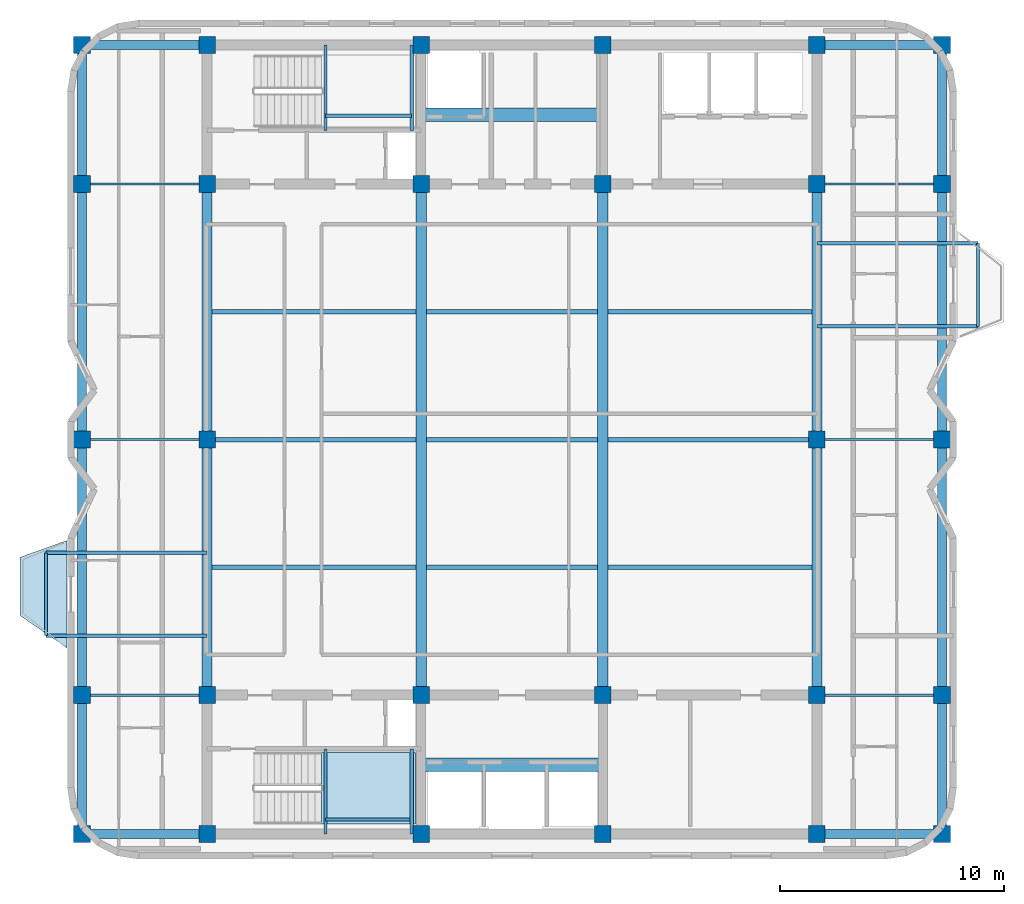
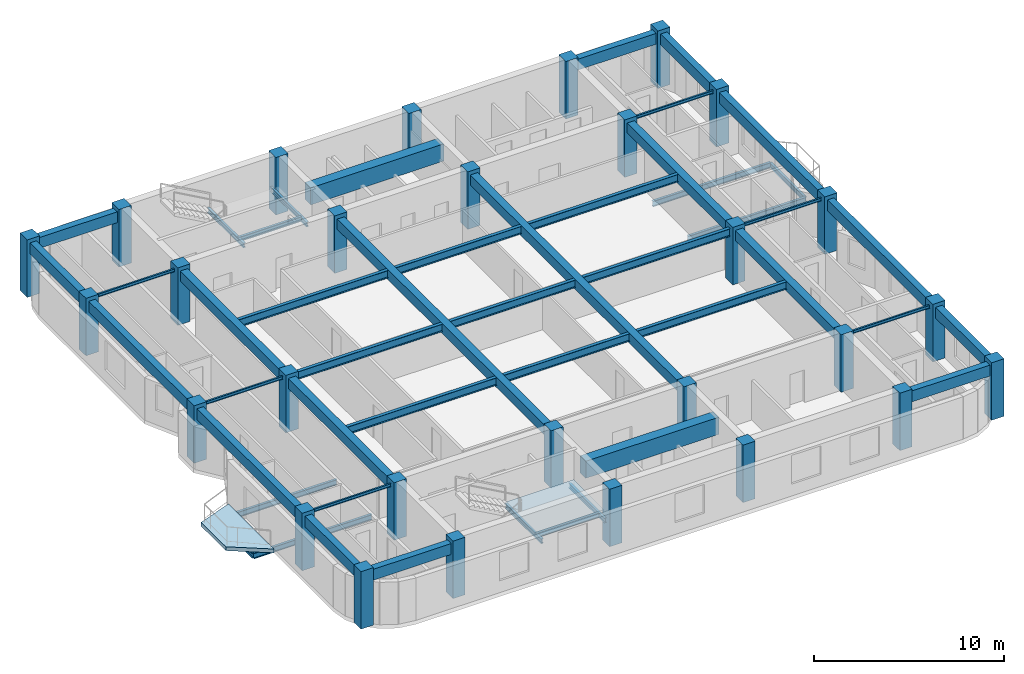
# One storey, part 1 of 8: 47 beams, 28 columns, 2 slabs, 1 element without a shape of its own.
"""IFC4 building model written with IfcOpenShell, lengths in metres."""

from ifc_helpers import new_model, si_unit, direction, frame, origin, origin_2d, place, context, subcontext, project, spatial, polyline, rectangle, i_section, outline, extrude, material, layer, layer_set, material_profile, profile_set, type_object, element, aggregate, save


model = new_model("IFC4")

# Units and contexts
model_context = context("Model", 3, precision=1e-05, world=origin(), true_north=direction((0.0, 1.0)))
body_context = subcontext(model_context, "Body", "Model", "MODEL_VIEW")
ifc_project = project(units=[si_unit("LENGTHUNIT", "METRE"), si_unit("AREAUNIT", "SQUARE_METRE"), si_unit("VOLUMEUNIT", "CUBIC_METRE"), si_unit("PLANEANGLEUNIT", "RADIAN"), si_unit("MASSUNIT", "GRAM", prefix="KILO")], contexts=[model_context])

# Site, building, storey
site_placement = place(None, origin())
site = spatial("IfcSite", under=ifc_project, at=site_placement, CompositionType="ELEMENT")
building_placement = place(site_placement, origin())
building = spatial("IfcBuilding", under=site, at=building_placement, Name="Svetorya Sky Lyceum", CompositionType="ELEMENT")
storey_placement = place(building_placement, frame((0.0, 0.0, 278.699951171875)))
storey = spatial("IfcBuildingStorey", under=building, at=storey_placement, Name="L70", CompositionType="ELEMENT", Elevation=278.699951171875)

# Columns
ifc_material_1 = material(Name="Concrete C40/50", Category="concrete")
ifc_material_profile_1 = material_profile(ifc_material_1, rectangle(XDim=0.75, YDim=0.75, at=origin_2d()), Name="RC COL 750x750")
ifc_profile_set_1 = profile_set([ifc_material_profile_1], Name="Concrete C40/50")
column_type = type_object("IfcColumnType", Name="COL-RC-750", PredefinedType="COLUMN", material=ifc_profile_set_1)
for number, where, z_axis, x_axis, name in (
    (1, (25.60009765625, 10.60009765625, 0.0), (0.0, 0.0, 1.0), (1.0, 0.0, 0.0), "L70 Core Column CS-11"),
    (2, (25.60009765625, 16.800048828125, 0.0), (0.0, 0.0, 1.0), (1.0, 0.0, 0.0), "L70 Core Column CS-12"),
    (3, (35.14990234375, 10.60009765625, 0.0), (0.0, 0.0, 1.0), (1.0, 0.0, 0.0), "L70 Core Column CS-21"),
    (4, (35.14990234375, 16.800048828125, 0.0), (0.0, 0.0, 1.0), (1.0, 0.0, 0.0), "L70 Core Column CS-22"),
    (5, (43.25, 10.60009765625, 0.0), (0.0, 0.0, 1.0), (1.0, 0.0, 0.0), "L70 Core Column CS-31"),
    (6, (43.25, 16.800048828125, 0.0), (0.0, 0.0, 1.0), (1.0, 0.0, 0.0), "L70 Core Column CS-32"),
    (7, (52.800048828125, 10.60009765625, 0.0), (0.0, 0.0, 1.0), (1.0, 0.0, 0.0), "L70 Core Column CS-41"),
    (8, (52.800048828125, 16.800048828125, 0.0), (0.0, 0.0, 1.0), (1.0, 0.0, 0.0), "L70 Core Column CS-42"),
    (9, (25.60009765625, 39.60009765625, 0.0), (0.0, 0.0, 1.0), (1.0, 0.0, 0.0), "L70 Core Column CN-11"),
    (10, (25.60009765625, 45.800048828125, 0.0), (0.0, 0.0, 1.0), (1.0, 0.0, 0.0), "L70 Core Column CN-12"),
    (11, (35.14990234375, 39.60009765625, 0.0), (0.0, 0.0, 1.0), (1.0, 0.0, 0.0), "L70 Core Column CN-21"),
    (12, (35.14990234375, 45.800048828125, 0.0), (0.0, 0.0, 1.0), (1.0, 0.0, 0.0), "L70 Core Column CN-22"),
    (13, (43.25, 39.60009765625, 0.0), (0.0, 0.0, 1.0), (1.0, 0.0, 0.0), "L70 Core Column CN-31"),
    (14, (43.25, 45.800048828125, 0.0), (0.0, 0.0, 1.0), (1.0, 0.0, 0.0), "L70 Core Column CN-32"),
    (15, (52.800048828125, 39.60009765625, 0.0), (0.0, 0.0, 1.0), (1.0, 0.0, 0.0), "L70 Core Column CN-41"),
    (16, (52.800048828125, 45.800048828125, 0.0), (0.0, 0.0, 1.0), (1.0, 0.0, 0.0), "L70 Core Column CN-42"),
    (17, (25.60009765625, 28.199951171875, 0.0), (0.0, 0.0, 1.0), (1.0, 0.0, 0.0), "L70 Core Column CM-W"),
    (18, (52.800048828125, 28.199951171875, 0.0), (0.0, 0.0, 1.0), (1.0, 0.0, 0.0), "L70 Core Column CM-E"),
    (19, (20.010009765625, 10.60009765625, 0.0), (0.0, 0.0, 1.0), (1.0, 0.0, 0.0), "L70 Perimeter Column W1"),
    (20, (58.389892578125, 10.60009765625, 0.0), (0.0, 0.0, 1.0), (1.0, 0.0, 0.0), "L70 Perimeter Column E1"),
    (21, (20.010009765625, 16.800048828125, 0.0), (0.0, 0.0, 1.0), (1.0, 0.0, 0.0), "L70 Perimeter Column W2"),
    (22, (58.389892578125, 16.800048828125, 0.0), (0.0, 0.0, 1.0), (1.0, 0.0, 0.0), "L70 Perimeter Column E2"),
    (23, (20.010009765625, 28.199951171875, 0.0), (0.0, 0.0, 1.0), (1.0, 0.0, 0.0), "L70 Perimeter Column W3"),
    (24, (58.389892578125, 28.199951171875, 0.0), (0.0, 0.0, 1.0), (1.0, 0.0, 0.0), "L70 Perimeter Column E3"),
    (25, (20.010009765625, 39.60009765625, 0.0), (0.0, 0.0, 1.0), (1.0, 0.0, 0.0), "L70 Perimeter Column W4"),
    (26, (58.389892578125, 39.60009765625, 0.0), (0.0, 0.0, 1.0), (1.0, 0.0, 0.0), "L70 Perimeter Column E4"),
    (27, (20.010009765625, 45.800048828125, 0.0), (0.0, 0.0, 1.0), (1.0, 0.0, 0.0), "L70 Perimeter Column W5"),
    (28, (58.389892578125, 45.800048828125, 0.0), (0.0, 0.0, 1.0), (1.0, 0.0, 0.0), "L70 Perimeter Column E5"),
):
    element("IfcColumn", number, at=place(storey_placement, frame(where, z_axis=z_axis, x_axis=x_axis)), inside=storey, type_object=column_type, Name=name, PredefinedType="COLUMN", context=body_context, shape_type="SweptSolid", body=[
        extrude(rectangle(XDim=0.75, YDim=0.75, at=origin_2d()), origin(), (0.0, 0.0, 1.0), 3.699951171875),
    ])

# Beams
ifc_material_2 = material(Name="Concrete C60/75", Category="concrete")
ifc_material_profile_2 = material_profile(ifc_material_2, rectangle(XDim=0.60009765625, YDim=1.10009765625, at=origin_2d()), Name="RC COUPLING 600x1100")
ifc_profile_set_2 = profile_set([ifc_material_profile_2], Name="Concrete C60/75")
beam_type_1 = type_object("IfcBeamType", Name="BM-CPL-1100", PredefinedType="LINTEL", material=ifc_profile_set_2)
for number, where, z_axis, x_axis, name in (
    (29, (35.14990234375, 13.699951171875, 2.900146484375), (1.0, 0.0, 0.0), (0.0, 1.0, 0.0), "L70 SC Core Coupling Beam"),
    (30, (35.14990234375, 42.699951171875, 2.900146484375), (1.0, 0.0, 0.0), (0.0, 1.0, 0.0), "L70 NC Core Coupling Beam"),
):
    element("IfcBeam", number, at=place(storey_placement, frame(where, z_axis=z_axis, x_axis=x_axis)), inside=storey, type_object=beam_type_1, Name=name, PredefinedType="LINTEL", context=body_context, shape_type="SweptSolid", body=[
        extrude(rectangle(XDim=0.60009765625, YDim=1.10009765625, at=origin_2d()), origin(), (0.0, 0.0, 1.0), 8.10009765625),
    ])
ifc_material_profile_3 = material_profile(ifc_material_1, rectangle(XDim=0.449951171875, YDim=0.64990234375, at=origin_2d()), Name="RC BEAM 450x650")
ifc_profile_set_3 = profile_set([ifc_material_profile_3], Name="Concrete C40/50")
beam_type_2 = type_object("IfcBeamType", Name="BM-RC-650", PredefinedType="BEAM", material=ifc_profile_set_3)
beam_1_placement = place(storey_placement, frame((25.60009765625, 16.800048828125, 3.125), z_axis=(0.0, 1.0, 0.0), x_axis=(-1.0, 0.0, 0.0)))
element("IfcBeam", 31, at=beam_1_placement, inside=storey, type_object=beam_type_2, Name="L70 Central Bay Primary Girder CG-1A", PredefinedType="BEAM", context=body_context, shape_type="SweptSolid", body=[
    extrude(rectangle(XDim=0.449951171875, YDim=0.64990234375, at=origin_2d()), origin(), (0.0, 0.0, 1.0), 11.39990234375),
])
beam_2_placement = place(storey_placement, frame((25.60009765625, 28.199951171875, 3.125), z_axis=(0.0, 1.0, 0.0), x_axis=(-1.0, 0.0, 0.0)))
element("IfcBeam", 32, at=beam_2_placement, inside=storey, type_object=beam_type_2, Name="L70 Central Bay Primary Girder CG-1B", PredefinedType="BEAM", context=body_context, shape_type="SweptSolid", body=[
    extrude(rectangle(XDim=0.449951171875, YDim=0.64990234375, at=origin_2d()), origin(), (0.0, 0.0, 1.0), 11.400146484375),
])
for number, where, z_axis, x_axis, name in (
    (33, (35.14990234375, 16.800048828125, 3.125), (0.0, 1.0, 0.0), (-1.0, 0.0, 0.0), "L70 Central Bay Primary Girder CG-2"),
    (34, (43.25, 16.800048828125, 3.125), (0.0, 1.0, 0.0), (-1.0, 0.0, 0.0), "L70 Central Bay Primary Girder CG-3"),
):
    element("IfcBeam", number, at=place(storey_placement, frame(where, z_axis=z_axis, x_axis=x_axis)), inside=storey, type_object=beam_type_2, Name=name, PredefinedType="BEAM", context=body_context, shape_type="SweptSolid", body=[
        extrude(rectangle(XDim=0.449951171875, YDim=0.64990234375, at=origin_2d()), origin(), (0.0, 0.0, 1.0), 22.800048828125),
    ])
beam_3_placement = place(storey_placement, frame((52.800048828125, 16.800048828125, 3.125), z_axis=(0.0, 1.0, 0.0), x_axis=(-1.0, 0.0, 0.0)))
element("IfcBeam", 35, at=beam_3_placement, inside=storey, type_object=beam_type_2, Name="L70 Central Bay Primary Girder CG-4A", PredefinedType="BEAM", context=body_context, shape_type="SweptSolid", body=[
    extrude(rectangle(XDim=0.449951171875, YDim=0.64990234375, at=origin_2d()), origin(), (0.0, 0.0, 1.0), 11.39990234375),
])
beam_4_placement = place(storey_placement, frame((52.800048828125, 28.199951171875, 3.125), z_axis=(0.0, 1.0, 0.0), x_axis=(-1.0, 0.0, 0.0)))
element("IfcBeam", 36, at=beam_4_placement, inside=storey, type_object=beam_type_2, Name="L70 Central Bay Primary Girder CG-4B", PredefinedType="BEAM", context=body_context, shape_type="SweptSolid", body=[
    extrude(rectangle(XDim=0.449951171875, YDim=0.64990234375, at=origin_2d()), origin(), (0.0, 0.0, 1.0), 11.400146484375),
])
ifc_material_3 = material(Name="Concrete C50/60", Category="concrete")
ifc_material_profile_4 = material_profile(ifc_material_3, rectangle(XDim=0.39990234375, YDim=0.699951171875, at=origin_2d()), Name="RC SPANDREL 400x700")
ifc_profile_set_4 = profile_set([ifc_material_profile_4], Name="Concrete C50/60")
beam_type_3 = type_object("IfcBeamType", Name="BM-SPN-700", PredefinedType="SPANDREL", material=ifc_profile_set_4)
for number, where, z_axis, x_axis, name in (
    (37, (20.010009765625, 10.60009765625, 3.10009765625), (1.0, 0.0, 0.0), (0.0, 1.0, 0.0), "L70 Tie Spandrel SW"),
    (38, (20.010009765625, 45.800048828125, 3.10009765625), (1.0, 0.0, 0.0), (0.0, 1.0, 0.0), "L70 Tie Spandrel NW"),
):
    element("IfcBeam", number, at=place(storey_placement, frame(where, z_axis=z_axis, x_axis=x_axis)), inside=storey, type_object=beam_type_3, Name=name, PredefinedType="SPANDREL", context=body_context, shape_type="SweptSolid", body=[
        extrude(rectangle(XDim=0.39990234375, YDim=0.699951171875, at=origin_2d()), origin(), (0.0, 0.0, 1.0), 5.590087890625),
    ])
for number, where, z_axis, x_axis, name in (
    (39, (52.800048828125, 10.60009765625, 3.10009765625), (1.0, 0.0, 0.0), (0.0, 1.0, 0.0), "L70 Tie Spandrel SE"),
    (40, (52.800048828125, 45.800048828125, 3.10009765625), (1.0, 0.0, 0.0), (0.0, 1.0, 0.0), "L70 Tie Spandrel NE"),
):
    element("IfcBeam", number, at=place(storey_placement, frame(where, z_axis=z_axis, x_axis=x_axis)), inside=storey, type_object=beam_type_3, Name=name, PredefinedType="SPANDREL", context=body_context, shape_type="SweptSolid", body=[
        extrude(rectangle(XDim=0.39990234375, YDim=0.699951171875, at=origin_2d()), origin(), (0.0, 0.0, 1.0), 5.58984375),
    ])
beam_5_placement = place(storey_placement, frame((20.010009765625, 10.60009765625, 3.10009765625), z_axis=(0.0, 1.0, 0.0), x_axis=(-1.0, 0.0, 0.0)))
element("IfcBeam", 41, at=beam_5_placement, inside=storey, type_object=beam_type_3, Name="L70 West Spandrel 1", PredefinedType="SPANDREL", context=body_context, shape_type="SweptSolid", body=[
    extrude(rectangle(XDim=0.39990234375, YDim=0.699951171875, at=origin_2d()), origin(), (0.0, 0.0, 1.0), 6.199951171875),
])
beam_6_placement = place(storey_placement, frame((20.010009765625, 16.800048828125, 3.10009765625), z_axis=(0.0, 1.0, 0.0), x_axis=(-1.0, 0.0, 0.0)))
element("IfcBeam", 42, at=beam_6_placement, inside=storey, type_object=beam_type_3, Name="L70 West Spandrel 2", PredefinedType="SPANDREL", context=body_context, shape_type="SweptSolid", body=[
    extrude(rectangle(XDim=0.39990234375, YDim=0.699951171875, at=origin_2d()), origin(), (0.0, 0.0, 1.0), 11.39990234375),
])
beam_7_placement = place(storey_placement, frame((20.010009765625, 28.199951171875, 3.10009765625), z_axis=(0.0, 1.0, 0.0), x_axis=(-1.0, 0.0, 0.0)))
element("IfcBeam", 43, at=beam_7_placement, inside=storey, type_object=beam_type_3, Name="L70 West Spandrel 3", PredefinedType="SPANDREL", context=body_context, shape_type="SweptSolid", body=[
    extrude(rectangle(XDim=0.39990234375, YDim=0.699951171875, at=origin_2d()), origin(), (0.0, 0.0, 1.0), 11.400146484375),
])
for number, where, z_axis, x_axis, name in (
    (44, (20.010009765625, 39.60009765625, 3.10009765625), (0.0, 1.0, 0.0), (-1.0, 0.0, 0.0), "L70 West Spandrel 4"),
    (45, (58.389892578125, 10.60009765625, 3.10009765625), (0.0, 1.0, 0.0), (-1.0, 0.0, 0.0), "L70 East Spandrel 1"),
):
    element("IfcBeam", number, at=place(storey_placement, frame(where, z_axis=z_axis, x_axis=x_axis)), inside=storey, type_object=beam_type_3, Name=name, PredefinedType="SPANDREL", context=body_context, shape_type="SweptSolid", body=[
        extrude(rectangle(XDim=0.39990234375, YDim=0.699951171875, at=origin_2d()), origin(), (0.0, 0.0, 1.0), 6.199951171875),
    ])
beam_8_placement = place(storey_placement, frame((58.389892578125, 16.800048828125, 3.10009765625), z_axis=(0.0, 1.0, 0.0), x_axis=(-1.0, 0.0, 0.0)))
element("IfcBeam", 46, at=beam_8_placement, inside=storey, type_object=beam_type_3, Name="L70 East Spandrel 2", PredefinedType="SPANDREL", context=body_context, shape_type="SweptSolid", body=[
    extrude(rectangle(XDim=0.39990234375, YDim=0.699951171875, at=origin_2d()), origin(), (0.0, 0.0, 1.0), 11.39990234375),
])
beam_9_placement = place(storey_placement, frame((58.389892578125, 28.199951171875, 3.10009765625), z_axis=(0.0, 1.0, 0.0), x_axis=(-1.0, 0.0, 0.0)))
element("IfcBeam", 47, at=beam_9_placement, inside=storey, type_object=beam_type_3, Name="L70 East Spandrel 3", PredefinedType="SPANDREL", context=body_context, shape_type="SweptSolid", body=[
    extrude(rectangle(XDim=0.39990234375, YDim=0.699951171875, at=origin_2d()), origin(), (0.0, 0.0, 1.0), 11.400146484375),
])
beam_10_placement = place(storey_placement, frame((58.389892578125, 39.60009765625, 3.10009765625), z_axis=(0.0, 1.0, 0.0), x_axis=(-1.0, 0.0, 0.0)))
element("IfcBeam", 48, at=beam_10_placement, inside=storey, type_object=beam_type_3, Name="L70 East Spandrel 4", PredefinedType="SPANDREL", context=body_context, shape_type="SweptSolid", body=[
    extrude(rectangle(XDim=0.39990234375, YDim=0.699951171875, at=origin_2d()), origin(), (0.0, 0.0, 1.0), 6.199951171875),
])
ifc_material_4 = material(Name="Steel S355", Category="steel")
ifc_material_profile_5 = material_profile(ifc_material_4, i_section(OverallWidth=0.10009765625, OverallDepth=0.199951171875, WebThickness=0.005615234375, FlangeThickness=0.008544921875, at=origin_2d()), Name="GOST 20B1")
ifc_profile_set_5 = profile_set([ifc_material_profile_5], Name="Steel S355")
beam_type_4 = type_object("IfcBeamType", Name="BM-STL-20B1", PredefinedType="JOIST", material=ifc_profile_set_5)
beam_11_placement = place(storey_placement, frame((20.010009765625, 16.800048828125, 3.35009765625), z_axis=(1.0, 0.0, 0.0), x_axis=(0.0, 1.0, 0.0)))
element("IfcBeam", 49, at=beam_11_placement, inside=storey, type_object=beam_type_4, Name="L70 West Wing Floor Joist W2", PredefinedType="JOIST", context=body_context, shape_type="SweptSolid", body=[
    extrude(i_section(OverallWidth=0.10009765625, OverallDepth=0.199951171875, WebThickness=0.005615234375, FlangeThickness=0.008544921875, at=origin_2d()), origin(), (0.0, 0.0, 1.0), 5.590087890625),
])
beam_12_placement = place(storey_placement, frame((52.800048828125, 16.800048828125, 3.35009765625), z_axis=(1.0, 0.0, 0.0), x_axis=(0.0, 1.0, 0.0)))
element("IfcBeam", 50, at=beam_12_placement, inside=storey, type_object=beam_type_4, Name="L70 East Wing Floor Joist E2", PredefinedType="JOIST", context=body_context, shape_type="SweptSolid", body=[
    extrude(i_section(OverallWidth=0.10009765625, OverallDepth=0.199951171875, WebThickness=0.005615234375, FlangeThickness=0.008544921875, at=origin_2d()), origin(), (0.0, 0.0, 1.0), 5.58984375),
])
beam_13_placement = place(storey_placement, frame((20.010009765625, 28.199951171875, 3.35009765625), z_axis=(1.0, 0.0, 0.0), x_axis=(0.0, 1.0, 0.0)))
element("IfcBeam", 51, at=beam_13_placement, inside=storey, type_object=beam_type_4, Name="L70 West Wing Floor Joist W3", PredefinedType="JOIST", context=body_context, shape_type="SweptSolid", body=[
    extrude(i_section(OverallWidth=0.10009765625, OverallDepth=0.199951171875, WebThickness=0.005615234375, FlangeThickness=0.008544921875, at=origin_2d()), origin(), (0.0, 0.0, 1.0), 5.590087890625),
])
beam_14_placement = place(storey_placement, frame((52.800048828125, 28.199951171875, 3.35009765625), z_axis=(1.0, 0.0, 0.0), x_axis=(0.0, 1.0, 0.0)))
element("IfcBeam", 52, at=beam_14_placement, inside=storey, type_object=beam_type_4, Name="L70 East Wing Floor Joist E3", PredefinedType="JOIST", context=body_context, shape_type="SweptSolid", body=[
    extrude(i_section(OverallWidth=0.10009765625, OverallDepth=0.199951171875, WebThickness=0.005615234375, FlangeThickness=0.008544921875, at=origin_2d()), origin(), (0.0, 0.0, 1.0), 5.58984375),
])
beam_15_placement = place(storey_placement, frame((20.010009765625, 39.60009765625, 3.35009765625), z_axis=(1.0, 0.0, 0.0), x_axis=(0.0, 1.0, 0.0)))
element("IfcBeam", 53, at=beam_15_placement, inside=storey, type_object=beam_type_4, Name="L70 West Wing Floor Joist W4", PredefinedType="JOIST", context=body_context, shape_type="SweptSolid", body=[
    extrude(i_section(OverallWidth=0.10009765625, OverallDepth=0.199951171875, WebThickness=0.005615234375, FlangeThickness=0.008544921875, at=origin_2d()), origin(), (0.0, 0.0, 1.0), 5.590087890625),
])
beam_16_placement = place(storey_placement, frame((52.800048828125, 39.60009765625, 3.35009765625), z_axis=(1.0, 0.0, 0.0), x_axis=(0.0, 1.0, 0.0)))
element("IfcBeam", 54, at=beam_16_placement, inside=storey, type_object=beam_type_4, Name="L70 East Wing Floor Joist E4", PredefinedType="JOIST", context=body_context, shape_type="SweptSolid", body=[
    extrude(i_section(OverallWidth=0.10009765625, OverallDepth=0.199951171875, WebThickness=0.005615234375, FlangeThickness=0.008544921875, at=origin_2d()), origin(), (0.0, 0.0, 1.0), 5.58984375),
])
ifc_material_profile_6 = material_profile(ifc_material_4, i_section(OverallWidth=0.14990234375, OverallDepth=0.299072265625, WebThickness=0.006591796875, FlangeThickness=0.010498046875, at=origin_2d()), Name="GOST 30B2")
ifc_profile_set_6 = profile_set([ifc_material_profile_6], Name="Steel S355")
beam_type_5 = type_object("IfcBeamType", Name="BM-STL-30B2", PredefinedType="JOIST", material=ifc_profile_set_6)
for number, where, z_axis, x_axis, name in (
    (55, (18.409912109375, 19.449951171875, -0.424560546875), (0.0, 1.0, 0.0), (-1.0, 0.0, 0.0), "L70 Balcony Edge Tie BAL-W1"),
    (56, (59.989990234375, 33.25, -0.424560546875), (0.0, 1.0, 0.0), (-1.0, 0.0, 0.0), "L70 Balcony Edge Tie BAL-E1"),
):
    element("IfcBeam", number, at=place(storey_placement, frame(where, z_axis=z_axis, x_axis=x_axis)), inside=storey, type_object=beam_type_5, Name=name, PredefinedType="JOIST", context=body_context, shape_type="SweptSolid", body=[
        extrude(i_section(OverallWidth=0.14990234375, OverallDepth=0.299072265625, WebThickness=0.006591796875, FlangeThickness=0.010498046875, at=origin_2d()), origin(), (0.0, 0.0, 1.0), 3.699951171875),
    ])
for number, where, z_axis, x_axis, name in (
    (57, (30.8798828125, 10.60009765625, 1.50048828125), (0.0, 1.0, 0.0), (-1.0, 0.0, 0.0), "L70 Stair ST-S Half-Landing Support Beam 78.1"),
    (58, (34.719970703125, 10.60009765625, 1.50048828125), (0.0, 1.0, 0.0), (-1.0, 0.0, 0.0), "L70 Stair ST-S Half-Landing Support Beam 78.2"),
):
    element("IfcBeam", number, at=place(storey_placement, frame(where, z_axis=z_axis, x_axis=x_axis)), inside=storey, type_object=beam_type_5, Name=name, PredefinedType="JOIST", context=body_context, shape_type="SweptSolid", body=[
        extrude(i_section(OverallWidth=0.14990234375, OverallDepth=0.299072265625, WebThickness=0.006591796875, FlangeThickness=0.010498046875, at=origin_2d()), origin(), (0.0, 0.0, 1.0), 3.7998046875),
    ])
beam_17_placement = place(storey_placement, frame((30.8798828125, 11.25, 1.50048828125), z_axis=(1.0, 0.0, 0.0), x_axis=(0.0, 1.0, 0.0)))
element("IfcBeam", 59, at=beam_17_placement, inside=storey, type_object=beam_type_5, Name="L70 Stair ST-S Half-Landing Cross Tie 78", PredefinedType="JOIST", context=body_context, shape_type="SweptSolid", body=[
    extrude(i_section(OverallWidth=0.14990234375, OverallDepth=0.299072265625, WebThickness=0.006591796875, FlangeThickness=0.010498046875, at=origin_2d()), origin(), (0.0, 0.0, 1.0), 3.840087890625),
])
for number, where, z_axis, x_axis, name in (
    (60, (30.8798828125, 42.0, 1.50048828125), (0.0, 1.0, 0.0), (-1.0, 0.0, 0.0), "L70 Stair ST-N Half-Landing Support Beam 78.1"),
    (61, (34.719970703125, 42.0, 1.50048828125), (0.0, 1.0, 0.0), (-1.0, 0.0, 0.0), "L70 Stair ST-N Half-Landing Support Beam 78.2"),
):
    element("IfcBeam", number, at=place(storey_placement, frame(where, z_axis=z_axis, x_axis=x_axis)), inside=storey, type_object=beam_type_5, Name=name, PredefinedType="JOIST", context=body_context, shape_type="SweptSolid", body=[
        extrude(i_section(OverallWidth=0.14990234375, OverallDepth=0.299072265625, WebThickness=0.006591796875, FlangeThickness=0.010498046875, at=origin_2d()), origin(), (0.0, 0.0, 1.0), 3.800048828125),
    ])
beam_18_placement = place(storey_placement, frame((30.8798828125, 42.64990234375, 1.50048828125), z_axis=(1.0, 0.0, 0.0), x_axis=(0.0, 1.0, 0.0)))
element("IfcBeam", 62, at=beam_18_placement, inside=storey, type_object=beam_type_5, Name="L70 Stair ST-N Half-Landing Cross Tie 78", PredefinedType="JOIST", context=body_context, shape_type="SweptSolid", body=[
    extrude(i_section(OverallWidth=0.14990234375, OverallDepth=0.299072265625, WebThickness=0.006591796875, FlangeThickness=0.010498046875, at=origin_2d()), origin(), (0.0, 0.0, 1.0), 3.840087890625),
])
ifc_material_profile_7 = material_profile(ifc_material_4, i_section(OverallWidth=0.155029296875, OverallDepth=0.34912109375, WebThickness=0.007080078125, FlangeThickness=0.011474609375, at=origin_2d()), Name="GOST 35B2")
ifc_profile_set_7 = profile_set([ifc_material_profile_7], Name="Steel S355")
beam_type_6 = type_object("IfcBeamType", Name="BM-STL-35B2", PredefinedType="JOIST", material=ifc_profile_set_7)
for number, where, z_axis, x_axis, name in (
    (63, (25.60009765625, 19.449951171875, -0.424560546875), (-1.0, 0.0, 0.0), (0.0, -1.0, 0.0), "L70 Balcony Cantilever Beam BAL-W1-1"),
    (64, (25.60009765625, 23.14990234375, -0.424560546875), (-1.0, 0.0, 0.0), (0.0, -1.0, 0.0), "L70 Balcony Cantilever Beam BAL-W1-2"),
):
    element("IfcBeam", number, at=place(storey_placement, frame(where, z_axis=z_axis, x_axis=x_axis)), inside=storey, type_object=beam_type_6, Name=name, PredefinedType="JOIST", context=body_context, shape_type="SweptSolid", body=[
        extrude(i_section(OverallWidth=0.155029296875, OverallDepth=0.34912109375, WebThickness=0.007080078125, FlangeThickness=0.011474609375, at=origin_2d()), origin(), (0.0, 0.0, 1.0), 7.190185546875),
    ])
for number, where, z_axis, x_axis, name in (
    (65, (52.800048828125, 33.25, -0.424560546875), (1.0, 0.0, 0.0), (0.0, 1.0, 0.0), "L70 Balcony Cantilever Beam BAL-E1-1"),
    (66, (52.800048828125, 36.949951171875, -0.424560546875), (1.0, 0.0, 0.0), (0.0, 1.0, 0.0), "L70 Balcony Cantilever Beam BAL-E1-2"),
):
    element("IfcBeam", number, at=place(storey_placement, frame(where, z_axis=z_axis, x_axis=x_axis)), inside=storey, type_object=beam_type_6, Name=name, PredefinedType="JOIST", context=body_context, shape_type="SweptSolid", body=[
        extrude(i_section(OverallWidth=0.155029296875, OverallDepth=0.34912109375, WebThickness=0.007080078125, FlangeThickness=0.011474609375, at=origin_2d()), origin(), (0.0, 0.0, 1.0), 7.18994140625),
    ])
ifc_material_profile_8 = material_profile(ifc_material_4, i_section(OverallWidth=0.198974609375, OverallDepth=0.498046875, WebThickness=0.010009765625, FlangeThickness=0.01611328125, at=origin_2d()), Name="GOST 50B2")
ifc_profile_set_8 = profile_set([ifc_material_profile_8], Name="Steel S355")
beam_type_7 = type_object("IfcBeamType", Name="BM-STL-50B2", PredefinedType="BEAM", material=ifc_profile_set_8)
beam_19_placement = place(storey_placement, frame((25.824951171875, 22.5, 3.200927734375), z_axis=(1.0, 0.0, 0.0), x_axis=(0.0, 1.0, 0.0)))
element("IfcBeam", 67, at=beam_19_placement, inside=storey, type_object=beam_type_7, Name="L70 Central Floor Joist CJ-1.1", PredefinedType="BEAM", context=body_context, shape_type="SweptSolid", body=[
    extrude(i_section(OverallWidth=0.198974609375, OverallDepth=0.498046875, WebThickness=0.010009765625, FlangeThickness=0.01611328125, at=origin_2d()), origin(), (0.0, 0.0, 1.0), 9.10009765625),
])
beam_20_placement = place(storey_placement, frame((35.375, 22.5, 3.200927734375), z_axis=(1.0, 0.0, 0.0), x_axis=(0.0, 1.0, 0.0)))
element("IfcBeam", 68, at=beam_20_placement, inside=storey, type_object=beam_type_7, Name="L70 Central Floor Joist CJ-1.2", PredefinedType="BEAM", context=body_context, shape_type="SweptSolid", body=[
    extrude(i_section(OverallWidth=0.198974609375, OverallDepth=0.498046875, WebThickness=0.010009765625, FlangeThickness=0.01611328125, at=origin_2d()), origin(), (0.0, 0.0, 1.0), 7.64990234375),
])
beam_21_placement = place(storey_placement, frame((43.47509765625, 22.5, 3.200927734375), z_axis=(1.0, 0.0, 0.0), x_axis=(0.0, 1.0, 0.0)))
element("IfcBeam", 69, at=beam_21_placement, inside=storey, type_object=beam_type_7, Name="L70 Central Floor Joist CJ-1.3", PredefinedType="BEAM", context=body_context, shape_type="SweptSolid", body=[
    extrude(i_section(OverallWidth=0.198974609375, OverallDepth=0.498046875, WebThickness=0.010009765625, FlangeThickness=0.01611328125, at=origin_2d()), origin(), (0.0, 0.0, 1.0), 9.099853515625),
])
beam_22_placement = place(storey_placement, frame((25.824951171875, 28.199951171875, 3.200927734375), z_axis=(1.0, 0.0, 0.0), x_axis=(0.0, 1.0, 0.0)))
element("IfcBeam", 70, at=beam_22_placement, inside=storey, type_object=beam_type_7, Name="L70 Central Floor Joist CJ-2.1", PredefinedType="BEAM", context=body_context, shape_type="SweptSolid", body=[
    extrude(i_section(OverallWidth=0.198974609375, OverallDepth=0.498046875, WebThickness=0.010009765625, FlangeThickness=0.01611328125, at=origin_2d()), origin(), (0.0, 0.0, 1.0), 9.10009765625),
])
beam_23_placement = place(storey_placement, frame((35.375, 28.199951171875, 3.200927734375), z_axis=(1.0, 0.0, 0.0), x_axis=(0.0, 1.0, 0.0)))
element("IfcBeam", 71, at=beam_23_placement, inside=storey, type_object=beam_type_7, Name="L70 Central Floor Joist CJ-2.2", PredefinedType="BEAM", context=body_context, shape_type="SweptSolid", body=[
    extrude(i_section(OverallWidth=0.198974609375, OverallDepth=0.498046875, WebThickness=0.010009765625, FlangeThickness=0.01611328125, at=origin_2d()), origin(), (0.0, 0.0, 1.0), 7.64990234375),
])
beam_24_placement = place(storey_placement, frame((43.47509765625, 28.199951171875, 3.200927734375), z_axis=(1.0, 0.0, 0.0), x_axis=(0.0, 1.0, 0.0)))
element("IfcBeam", 72, at=beam_24_placement, inside=storey, type_object=beam_type_7, Name="L70 Central Floor Joist CJ-2.3", PredefinedType="BEAM", context=body_context, shape_type="SweptSolid", body=[
    extrude(i_section(OverallWidth=0.198974609375, OverallDepth=0.498046875, WebThickness=0.010009765625, FlangeThickness=0.01611328125, at=origin_2d()), origin(), (0.0, 0.0, 1.0), 9.099853515625),
])
beam_25_placement = place(storey_placement, frame((25.824951171875, 33.89990234375, 3.200927734375), z_axis=(1.0, 0.0, 0.0), x_axis=(0.0, 1.0, 0.0)))
element("IfcBeam", 73, at=beam_25_placement, inside=storey, type_object=beam_type_7, Name="L70 Central Floor Joist CJ-3.1", PredefinedType="BEAM", context=body_context, shape_type="SweptSolid", body=[
    extrude(i_section(OverallWidth=0.198974609375, OverallDepth=0.498046875, WebThickness=0.010009765625, FlangeThickness=0.01611328125, at=origin_2d()), origin(), (0.0, 0.0, 1.0), 9.10009765625),
])
beam_26_placement = place(storey_placement, frame((35.375, 33.89990234375, 3.200927734375), z_axis=(1.0, 0.0, 0.0), x_axis=(0.0, 1.0, 0.0)))
element("IfcBeam", 74, at=beam_26_placement, inside=storey, type_object=beam_type_7, Name="L70 Central Floor Joist CJ-3.2", PredefinedType="BEAM", context=body_context, shape_type="SweptSolid", body=[
    extrude(i_section(OverallWidth=0.198974609375, OverallDepth=0.498046875, WebThickness=0.010009765625, FlangeThickness=0.01611328125, at=origin_2d()), origin(), (0.0, 0.0, 1.0), 7.64990234375),
])
beam_27_placement = place(storey_placement, frame((43.47509765625, 33.89990234375, 3.200927734375), z_axis=(1.0, 0.0, 0.0), x_axis=(0.0, 1.0, 0.0)))
element("IfcBeam", 75, at=beam_27_placement, inside=storey, type_object=beam_type_7, Name="L70 Central Floor Joist CJ-3.3", PredefinedType="BEAM", context=body_context, shape_type="SweptSolid", body=[
    extrude(i_section(OverallWidth=0.198974609375, OverallDepth=0.498046875, WebThickness=0.010009765625, FlangeThickness=0.01611328125, at=origin_2d()), origin(), (0.0, 0.0, 1.0), 9.099853515625),
])

# Slab
ifc_layer_1 = layer(ifc_material_1, 0.25)
ifc_layer_set_1 = layer_set([ifc_layer_1], Name="Concrete C40/50")
slab_type_1 = type_object("IfcSlabType", Name="SL-BAL-250", PredefinedType="FLOOR", material=ifc_layer_set_1)
slab_1_placement = place(storey_placement, frame((0.0, 0.0, -0.25)))
element("IfcSlab", 76, at=slab_1_placement, inside=storey, type_object=slab_type_1, Name="L70 Chamfered Loggia Balcony BAL-W1", PredefinedType="FLOOR", context=body_context, shape_type="SweptSolid", body=[
    extrude(outline(polyline([(19.35009765625, 18.89990234375), (19.35009765625, 23.699951171875), (17.25, 22.949951171875), (17.25, 20.35009765625), (19.35009765625, 18.89990234375)])), origin(), (0.0, 0.0, 1.0), 0.25),
])

# Stair, slab
stair_type = type_object("IfcStairType", Name="STR-ST-S", PredefinedType="HALF_TURN_STAIR", material=ifc_material_1)
stair_placement = place(storey_placement, origin())
stair = element("IfcStair", 77, at=stair_placement, inside=storey, type_object=stair_type, Name="L70 South Core Smoke-Free Exit Stair N2", PredefinedType="HALF_TURN_STAIR")
ifc_layer_2 = layer(ifc_material_1, 0.199951171875)
ifc_layer_set_2 = layer_set([ifc_layer_2], Name="Concrete C40/50")
slab_type_2 = type_object("IfcSlabType", Name="SL-STR-LAND-200", PredefinedType="LANDING", material=ifc_layer_set_2)
slab_2_placement = place(storey_placement, frame((0.0, 0.0, 1.650146484375)))
slab_2 = element("IfcSlab", 78, at=slab_2_placement, type_object=slab_type_2, Name="ST-S landing 1", PredefinedType="LANDING", context=body_context, shape_type="SweptSolid", body=[
    extrude(outline(polyline([(30.699951171875, 11.050048828125), (34.89990234375, 11.050048828125), (34.89990234375, 14.25), (30.699951171875, 14.25), (30.699951171875, 11.050048828125)])), origin(), (0.0, 0.0, 1.0), 0.199951171875),
])
aggregate(stair, [slab_2])

save(model, "model.ifc")
